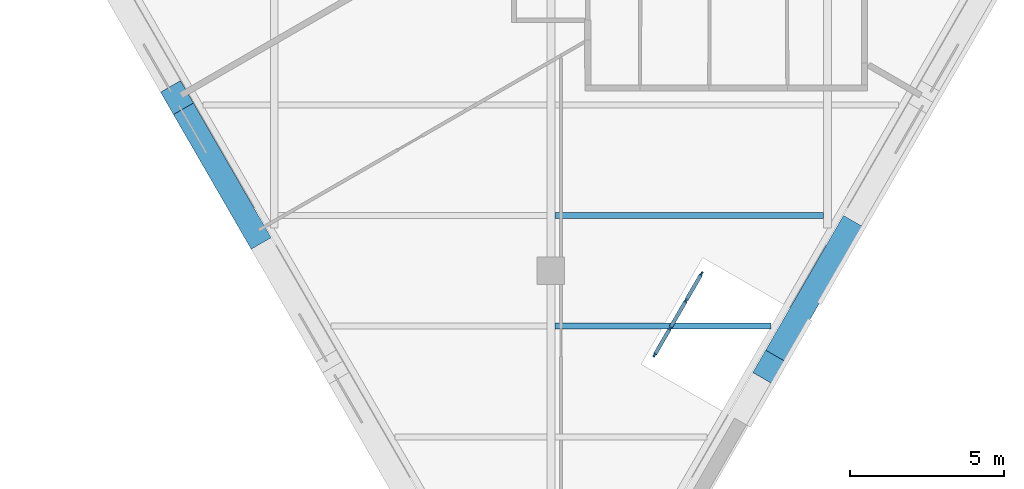
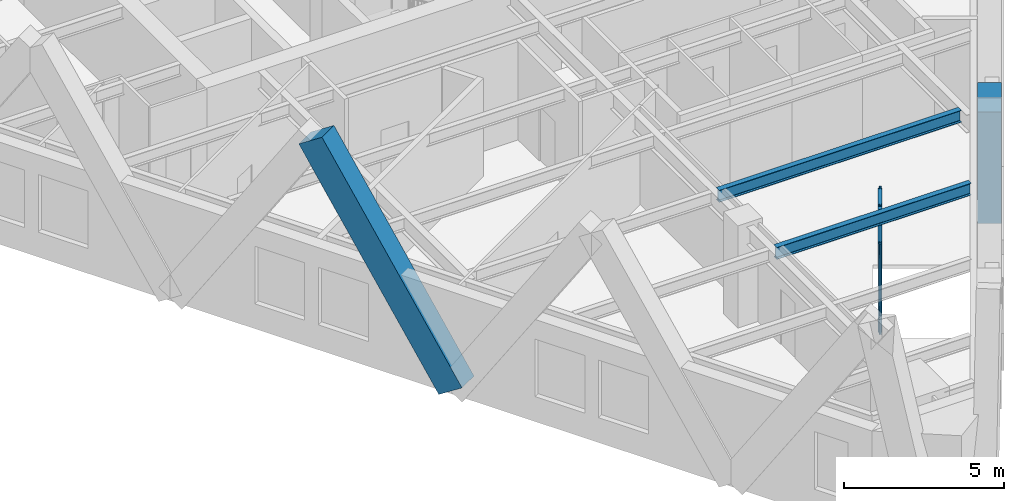
# One storey, part 2 of 11: 15 members, 2 beams, 1 element without a shape of its own.
"""IFC4 building model written with IfcOpenShell, lengths in metres."""

import ifcopenshell
import ifcopenshell.guid

model = None  # the IFC model being written
_history = None  # IfcOwnerHistory: only IFC2X3 demands one
_inside = {}  # id of a spatial element -> (the spatial element, [elements in it])
_under = {}  # id of a project, library or spatial element -> (it, [spatial elements below it])
_declared = {}  # id of a project -> (the project, [libraries it declares])
_typed = {}  # id of a type object -> (the type object, [elements of that type])
_made_of = {}  # id of a material, layer set ... -> (it, [elements and type objects made of it])


def new_model(schema):
    """Start an empty IFC model of exactly this schema.

    Asked for "IFC4X3", IfcOpenShell would pick the latest addendum, in which some entities
    have other attributes; the version numbers below select the first issue.
    IFC2X3 requires an IfcOwnerHistory on every rooted entity: one is made here for all.
    """
    global model, _history
    if schema == "IFC4X3":
        model = ifcopenshell.file(schema_version=(4, 3, 0, 0))
    else:
        model = ifcopenshell.file(schema=schema)
    _inside.clear()
    _under.clear()
    _declared.clear()
    _typed.clear()
    _made_of.clear()
    _history = None
    if model.schema == "IFC2X3":
        org = make("IfcOrganization", Name="unknown")
        user = make(
            "IfcPersonAndOrganization",
            ThePerson=make("IfcPerson", FamilyName="unknown"),
            TheOrganization=org,
        )
        app = make(
            "IfcApplication",
            ApplicationDeveloper=org,
            Version="unknown",
            ApplicationFullName="unknown",
            ApplicationIdentifier="unknown",
        )
        _history = make(
            "IfcOwnerHistory",
            OwningUser=user,
            OwningApplication=app,
            ChangeAction="ADDED",
            CreationDate=0,
        )
    return model


def make(cls, **values):
    """One entity of the class cls with the attributes given. An attribute that is None is left unset."""
    return model.create_entity(
        cls, **{name: value for name, value in values.items() if value is not None}
    )


def rooted(cls, **values):
    """An entity with a GlobalId (a new one), such as an element, a storey or a relation."""
    return make(cls, GlobalId=ifcopenshell.guid.new(), OwnerHistory=_history, **values)


def si_unit(unit_type, name, prefix=None):
    """IfcSIUnit, for example si_unit("LENGTHUNIT", "METRE", prefix="MILLI")."""
    return make("IfcSIUnit", UnitType=unit_type, Prefix=prefix, Name=name)


def assignment(units):
    """IfcUnitAssignment: the units of a project."""
    return None if units is None else make("IfcUnitAssignment", Units=units)


def point(xyz):
    """IfcCartesianPoint."""
    return None if xyz is None else make("IfcCartesianPoint", Coordinates=xyz)


def direction(xyz):
    """IfcDirection."""
    return None if xyz is None else make("IfcDirection", DirectionRatios=xyz)


def frame(location, z_axis=None, x_axis=None):
    """IfcAxis2Placement3D, a coordinate frame: its origin and axes. An axis left out is left unset."""
    return make(
        "IfcAxis2Placement3D",
        Location=point(location),
        Axis=direction(z_axis),
        RefDirection=direction(x_axis),
    )


def frame_2d(location, x_axis=None):
    """IfcAxis2Placement2D, a coordinate frame in the plane: its origin and x axis."""
    return make(
        "IfcAxis2Placement2D", Location=point(location), RefDirection=direction(x_axis)
    )


def origin():
    """The frame at (0, 0, 0) with its axes left unset."""
    return frame((0.0, 0.0, 0.0))


def origin_2d():
    """The frame at (0, 0) in the plane with its x axis left unset."""
    return frame_2d((0.0, 0.0))


def place(relative_to, where):
    """IfcLocalPlacement: puts the frame where relative to a parent placement (None: the world)."""
    return make(
        "IfcLocalPlacement", PlacementRelTo=relative_to, RelativePlacement=where
    )


def context(
    kind, dimensions, precision=None, world=None, true_north=None, identifier=None
):
    """IfcGeometricRepresentationContext, for example the 3D "Model" context."""
    return make(
        "IfcGeometricRepresentationContext",
        ContextIdentifier=identifier,
        ContextType=kind,
        CoordinateSpaceDimension=dimensions,
        Precision=precision,
        WorldCoordinateSystem=world,
        TrueNorth=true_north,
    )


def subcontext(parent, identifier, kind, view, scale=None):
    """IfcGeometricRepresentationSubContext, for example "Body" below "Model"."""
    return make(
        "IfcGeometricRepresentationSubContext",
        ContextIdentifier=identifier,
        ContextType=kind,
        ParentContext=parent,
        TargetScale=scale,
        TargetView=view,
    )


def project(units=None, contexts=None):
    """IfcProject with its units and contexts."""
    return rooted(
        "IfcProject",
        Name="project",
        RepresentationContexts=contexts,
        UnitsInContext=assignment(units),
    )


def spatial(cls, under=None, at=None, **own):
    """A site, building, storey or space (cls), placed at a placement, below another one or the project."""
    s = rooted(cls, ObjectPlacement=at, **own)
    if under is not None:
        _under.setdefault(under.id(), (under, []))[1].append(s)
    return s


def profile(cls, at=None, kind="AREA", **sizes):
    """A parametric profile (cls). Its sizes go by their IFC names, for example OverallWidth=200.0."""
    return make(cls, ProfileType=kind, Position=at, **sizes)


def rectangle(**sizes):
    """IfcRectangleProfileDef."""
    return profile("IfcRectangleProfileDef", **sizes)


def i_section(**sizes):
    """IfcIShapeProfileDef."""
    return profile("IfcIShapeProfileDef", **sizes)


def extrude(swept, where, along, depth):
    """IfcExtrudedAreaSolid: the profile swept, set in the frame where, extruded along a direction by depth."""
    return make(
        "IfcExtrudedAreaSolid",
        SweptArea=swept,
        Position=where,
        ExtrudedDirection=direction(along),
        Depth=depth,
    )


def shape(context_of_items, identifier, shape_type, items):
    """IfcShapeRepresentation: the items that make up one representation, for example the "Body"."""
    return make(
        "IfcShapeRepresentation",
        ContextOfItems=context_of_items,
        RepresentationIdentifier=identifier,
        RepresentationType=shape_type,
        Items=items,
    )


def material(Name=None, Category=None):
    """IfcMaterial."""
    return make("IfcMaterial", Name=Name, Category=Category)


def material_profile(
    of_material, cross_section, Name=None, Category=None, Priority=None
):
    """IfcMaterialProfile: a cross section and its material."""
    return make(
        "IfcMaterialProfile",
        Name=Name,
        Material=of_material,
        Profile=cross_section,
        Priority=Priority,
        Category=Category,
    )


def profile_set(profiles, Name=None, composite=None):
    """IfcMaterialProfileSet."""
    return make(
        "IfcMaterialProfileSet",
        Name=Name,
        MaterialProfiles=profiles,
        CompositeProfile=composite,
    )


def made_of(thing, what):
    """Note that an element or type object is made of a material, layer set ...; save() writes the relation."""
    if what is not None:
        _made_of.setdefault(what.id(), (what, []))[1].append(thing)
    return thing


def type_object(cls, material=None, **own):
    """A type object (cls), such as IfcWallType, which elements share."""
    return made_of(rooted(cls, **own), material)


def element(
    cls,
    number,
    at=None,
    inside=None,
    cuts=None,
    type_object=None,
    material=None,
    context=None,
    identifier="Body",
    shape_type=None,
    held_by="IfcProductDefinitionShape",
    body=None,
    shapes=None,
    **own,
):
    """One element of the class cls, such as IfcWall. Its Tag is "e" and its number.

    at: its placement. inside: the storey or other place that contains it. cuts: it is an
    opening in that element (IfcRelVoidsElement). A single representation is given by context,
    identifier, shape_type and body (its items); several are given by shapes. held_by: the class
    of the entity that holds the representations. save() writes the other relations.
    """
    e = rooted(cls, Tag="e%d" % number, ObjectPlacement=at, **own)
    if body is not None:
        shapes = [shape(context, identifier, shape_type, body)]
    if shapes is not None:
        e.Representation = make(held_by, Representations=shapes)
    if inside is not None:
        _inside.setdefault(inside.id(), (inside, []))[1].append(e)
    if cuts is not None:
        rooted(
            "IfcRelVoidsElement", RelatingBuildingElement=cuts, RelatedOpeningElement=e
        )
    if type_object is not None:
        _typed.setdefault(type_object.id(), (type_object, []))[1].append(e)
    return made_of(e, material)


def aggregate(whole, parts):
    """IfcRelAggregates: a whole, such as a stair, and the parts it consists of."""
    return rooted("IfcRelAggregates", RelatingObject=whole, RelatedObjects=parts)


def save(model, path):
    """Write the relations noted so far, then the file.

    IfcRelAggregates (storeys below a building ...), IfcRelContainedInSpatialStructure (elements
    in a storey), IfcRelDefinesByType, IfcRelAssociatesMaterial and IfcRelDeclares: one each for
    every whole, place, type object, material and project.
    """
    for whole, parts in _under.values():
        aggregate(whole, parts)
    for where, things in _inside.values():
        rooted(
            "IfcRelContainedInSpatialStructure",
            RelatedElements=things,
            RelatingStructure=where,
        )
    for kind, things in _typed.values():
        rooted("IfcRelDefinesByType", RelatedObjects=things, RelatingType=kind)
    for what, things in _made_of.values():
        rooted("IfcRelAssociatesMaterial", RelatedObjects=things, RelatingMaterial=what)
    for by, libraries in _declared.values():
        rooted("IfcRelDeclares", RelatingContext=by, RelatedDefinitions=libraries)
    model.write(path)


model = new_model("IFC4")

# Units and contexts
model_context = context("Model", 3, precision=1e-05, world=origin(), true_north=direction((0.0, 1.0)))
body_context = subcontext(model_context, "Body", "Model", "MODEL_VIEW")
ifc_project = project(units=[si_unit("LENGTHUNIT", "METRE"), si_unit("AREAUNIT", "SQUARE_METRE"), si_unit("VOLUMEUNIT", "CUBIC_METRE"), si_unit("PLANEANGLEUNIT", "RADIAN"), si_unit("MASSUNIT", "GRAM", prefix="KILO")], contexts=[model_context])

# Site, building, storey
site_placement = place(None, origin())
site = spatial("IfcSite", under=ifc_project, at=site_placement, CompositionType="ELEMENT")
building_placement = place(site_placement, origin())
building = spatial("IfcBuilding", under=site, at=building_placement, Name="Aloe Facet Convention Tower", CompositionType="ELEMENT")
storey_placement = place(building_placement, frame((0.0, 0.0, 167.60009765625)))
storey = spatial("IfcBuildingStorey", under=building, at=storey_placement, Name="L42", CompositionType="ELEMENT", Elevation=167.60009765625)

# Curtain wall, members
ifc_material_1 = material(Name="Aluminium, anodised", Category="aluminium")
curtain_wall_type = type_object("IfcCurtainWallType", Name="EV-CW-TERRACE", PredefinedType="USERDEFINED", material=ifc_material_1)
curtain_wall_placement = place(storey_placement, origin())
curtain_wall = element("IfcCurtainWall", 1, at=curtain_wall_placement, inside=storey, type_object=curtain_wall_type, Name="CW-T09", ObjectType="TERRACE BACK GLAZING", PredefinedType="USERDEFINED")
ifc_material_2 = material(Name="Aluminium, anodised", Category="aluminium")
ifc_material_profile_1 = material_profile(ifc_material_2, rectangle(XDim=0.06005859375, YDim=0.14990234375, at=origin_2d()), Name="AL 60x150")
ifc_profile_set_1 = profile_set([ifc_material_profile_1], Name="Aluminium, anodised")
member_type_1 = type_object("IfcMemberType", Name="EV-MULL-TERRACE", PredefinedType="MULLION", material=ifc_profile_set_1)
member_1_placement = place(storey_placement, frame((83.374755859375, 105.265869140625, -0.150146484375), z_axis=(0.0, 0.0, 1.0), x_axis=(-0.866025403802, 0.49999999997, 0.0)))
member_1 = element("IfcMember", 2, at=member_1_placement, type_object=member_type_1, Name="CW-T09 mullion 1", PredefinedType="MULLION", context=body_context, shape_type="SweptSolid", body=[
    extrude(rectangle(XDim=0.06005859375, YDim=0.14990234375, at=origin_2d()), origin(), (0.0, 0.0, 1.0), 3.43994140625),
])
member_2_placement = place(storey_placement, frame((83.87646484375, 106.134765625, -0.150146484375), z_axis=(0.0, 0.0, 1.0), x_axis=(-0.866025403802, 0.49999999997, 0.0)))
member_2 = element("IfcMember", 3, at=member_2_placement, type_object=member_type_1, Name="CW-T09 mullion 2", PredefinedType="MULLION", context=body_context, shape_type="SweptSolid", body=[
    extrude(rectangle(XDim=0.06005859375, YDim=0.14990234375, at=origin_2d()), origin(), (0.0, 0.0, 1.0), 3.43994140625),
])
member_3_placement = place(storey_placement, frame((84.39306640625, 107.02978515625, -0.150146484375), z_axis=(0.0, 0.0, 1.0), x_axis=(-0.866025403802, 0.49999999997, 0.0)))
member_3 = element("IfcMember", 4, at=member_3_placement, type_object=member_type_1, Name="CW-T09 mullion 3", PredefinedType="MULLION", context=body_context, shape_type="SweptSolid", body=[
    extrude(rectangle(XDim=0.06005859375, YDim=0.14990234375, at=origin_2d()), origin(), (0.0, 0.0, 1.0), 3.43994140625),
])
member_4_placement = place(storey_placement, frame((84.894775390625, 107.898681640625, -0.150146484375), z_axis=(0.0, 0.0, 1.0), x_axis=(-0.866025403802, 0.49999999997, 0.0)))
member_4 = element("IfcMember", 5, at=member_4_placement, type_object=member_type_1, Name="CW-T09 mullion 4", PredefinedType="MULLION", context=body_context, shape_type="SweptSolid", body=[
    extrude(rectangle(XDim=0.06005859375, YDim=0.14990234375, at=origin_2d()), origin(), (0.0, 0.0, 1.0), 3.43994140625),
])
ifc_material_3 = material(Name="Aluminium, anodised", Category="aluminium")
ifc_material_profile_2 = material_profile(ifc_material_3, rectangle(XDim=0.1201171875, YDim=0.06005859375, at=origin_2d()), Name="AL 120x60")
ifc_profile_set_2 = profile_set([ifc_material_profile_2], Name="Aluminium, anodised")
member_type_2 = type_object("IfcMemberType", Name="EV-TRAN-TERRACE", PredefinedType="USERDEFINED", material=ifc_profile_set_2)
member_5_placement = place(storey_placement, frame((83.389892578125, 105.2919921875, -0.1201171875), z_axis=(0.500036104519, 0.866004557827, 0.0), x_axis=(-0.866004557827, 0.500036104519, 0.0)))
member_5 = element("IfcMember", 6, at=member_5_placement, type_object=member_type_2, Name="CW-T09 transom 1.1", ObjectType="TRANSOM", PredefinedType="USERDEFINED", context=body_context, shape_type="SweptSolid", body=[
    extrude(rectangle(XDim=0.1201171875, YDim=0.06005859375, at=origin_2d()), origin(), (0.0, 0.0, 1.0), 0.943359375),
])
member_6_placement = place(storey_placement, frame((83.389892578125, 105.2919921875, 1.56982421875), z_axis=(0.500036104519, 0.866004557827, 0.0), x_axis=(-0.866004557827, 0.500036104519, 0.0)))
member_6 = element("IfcMember", 7, at=member_6_placement, type_object=member_type_2, Name="CW-T09 transom 1.2", ObjectType="TRANSOM", PredefinedType="USERDEFINED", context=body_context, shape_type="SweptSolid", body=[
    extrude(rectangle(XDim=0.1201171875, YDim=0.06005859375, at=origin_2d()), origin(), (0.0, 0.0, 1.0), 0.943359375),
])
member_7_placement = place(storey_placement, frame((83.389892578125, 105.2919921875, 3.260009765625), z_axis=(0.500036104519, 0.866004557827, 0.0), x_axis=(-0.866004557827, 0.500036104519, 0.0)))
member_7 = element("IfcMember", 8, at=member_7_placement, type_object=member_type_2, Name="CW-T09 transom 1.3", ObjectType="TRANSOM", PredefinedType="USERDEFINED", context=body_context, shape_type="SweptSolid", body=[
    extrude(rectangle(XDim=0.1201171875, YDim=0.06005859375, at=origin_2d()), origin(), (0.0, 0.0, 1.0), 0.943359375),
])
member_8_placement = place(storey_placement, frame((83.8916015625, 106.160888671875, -0.1201171875), z_axis=(0.499997529631, 0.866026830048, 0.0), x_axis=(-0.866026830048, 0.499997529631, 0.0)))
member_8 = element("IfcMember", 9, at=member_8_placement, type_object=member_type_2, Name="CW-T09 transom 2.1", ObjectType="TRANSOM", PredefinedType="USERDEFINED", context=body_context, shape_type="SweptSolid", body=[
    extrude(rectangle(XDim=0.1201171875, YDim=0.06005859375, at=origin_2d()), origin(), (0.0, 0.0, 1.0), 0.97314453125),
])
member_9_placement = place(storey_placement, frame((83.8916015625, 106.160888671875, 1.56982421875), z_axis=(0.499997529631, 0.866026830048, 0.0), x_axis=(-0.866026830048, 0.499997529631, 0.0)))
member_9 = element("IfcMember", 10, at=member_9_placement, type_object=member_type_2, Name="CW-T09 transom 2.2", ObjectType="TRANSOM", PredefinedType="USERDEFINED", context=body_context, shape_type="SweptSolid", body=[
    extrude(rectangle(XDim=0.1201171875, YDim=0.06005859375, at=origin_2d()), origin(), (0.0, 0.0, 1.0), 0.97314453125),
])
member_10_placement = place(storey_placement, frame((83.8916015625, 106.160888671875, 3.260009765625), z_axis=(0.499997529631, 0.866026830048, 0.0), x_axis=(-0.866026830048, 0.499997529631, 0.0)))
member_10 = element("IfcMember", 11, at=member_10_placement, type_object=member_type_2, Name="CW-T09 transom 2.3", ObjectType="TRANSOM", PredefinedType="USERDEFINED", context=body_context, shape_type="SweptSolid", body=[
    extrude(rectangle(XDim=0.1201171875, YDim=0.06005859375, at=origin_2d()), origin(), (0.0, 0.0, 1.0), 0.97314453125),
])
member_11_placement = place(storey_placement, frame((84.408203125, 107.0556640625, -0.1201171875), z_axis=(0.500036104519, 0.866004557827, 0.0), x_axis=(-0.866004557827, 0.500036104519, 0.0)))
member_11 = element("IfcMember", 12, at=member_11_placement, type_object=member_type_2, Name="CW-T09 transom 3.1", ObjectType="TRANSOM", PredefinedType="USERDEFINED", context=body_context, shape_type="SweptSolid", body=[
    extrude(rectangle(XDim=0.1201171875, YDim=0.06005859375, at=origin_2d()), origin(), (0.0, 0.0, 1.0), 0.943359375),
])
member_12_placement = place(storey_placement, frame((84.408203125, 107.0556640625, 1.56982421875), z_axis=(0.500036104519, 0.866004557827, 0.0), x_axis=(-0.866004557827, 0.500036104519, 0.0)))
member_12 = element("IfcMember", 13, at=member_12_placement, type_object=member_type_2, Name="CW-T09 transom 3.2", ObjectType="TRANSOM", PredefinedType="USERDEFINED", context=body_context, shape_type="SweptSolid", body=[
    extrude(rectangle(XDim=0.1201171875, YDim=0.06005859375, at=origin_2d()), origin(), (0.0, 0.0, 1.0), 0.943359375),
])
member_13_placement = place(storey_placement, frame((84.408203125, 107.0556640625, 3.260009765625), z_axis=(0.500036104519, 0.866004557827, 0.0), x_axis=(-0.866004557827, 0.500036104519, 0.0)))
member_13 = element("IfcMember", 14, at=member_13_placement, type_object=member_type_2, Name="CW-T09 transom 3.3", ObjectType="TRANSOM", PredefinedType="USERDEFINED", context=body_context, shape_type="SweptSolid", body=[
    extrude(rectangle(XDim=0.1201171875, YDim=0.06005859375, at=origin_2d()), origin(), (0.0, 0.0, 1.0), 0.943359375),
])
aggregate(curtain_wall, [member_1, member_2, member_3, member_4, member_5, member_6, member_7, member_8, member_9, member_10, member_11, member_12, member_13])

# Beams
ifc_material_4 = material(Name="Steel S355", Category="steel")
ifc_material_profile_3 = material_profile(ifc_material_4, i_section(OverallWidth=0.19140625, OverallDepth=0.4599609375, WebThickness=0.010009765625, FlangeThickness=0.01611328125, FilletRadius=0.01025390625, at=origin_2d()), Name="UB 457x191x82")
ifc_profile_set_3 = profile_set([ifc_material_profile_3], Name="Steel S355")
beam_type = type_object("IfcBeamType", Name="SF-B-UB457x191x82", PredefinedType="BEAM", material=ifc_profile_set_3)
beam_1_placement = place(storey_placement, frame((80.12646484375, 106.199951171875, 3.52001953125), z_axis=(1.0, 0.0, 0.0), x_axis=(0.0, 1.0, 0.0)))
element("IfcBeam", 15, at=beam_1_placement, inside=storey, type_object=beam_type, Name="Floor beam FB-Z3C-029", PredefinedType="BEAM", context=body_context, shape_type="SweptSolid", body=[
    extrude(i_section(OverallWidth=0.19140625, OverallDepth=0.4599609375, WebThickness=0.010009765625, FlangeThickness=0.01611328125, FilletRadius=0.01025390625, at=origin_2d()), origin(), (0.0, 0.0, 1.0), 7.029052734375),
])
beam_2_placement = place(storey_placement, frame((80.12646484375, 109.800048828125, 3.52001953125), z_axis=(1.0, 0.0, 0.0), x_axis=(0.0, 1.0, 0.0)))
element("IfcBeam", 16, at=beam_2_placement, inside=storey, type_object=beam_type, Name="Floor beam FB-Z3C-030", PredefinedType="BEAM", context=body_context, shape_type="SweptSolid", body=[
    extrude(i_section(OverallWidth=0.19140625, OverallDepth=0.4599609375, WebThickness=0.010009765625, FlangeThickness=0.01611328125, FilletRadius=0.01025390625, at=origin_2d()), origin(), (0.0, 0.0, 1.0), 8.7470703125),
])

# Members
ifc_material_5 = material(Name="Concrete C60/75, bronze oxide finish", Category="concrete")
ifc_material_profile_4 = material_profile(ifc_material_5, rectangle(XDim=0.75, YDim=1.0, at=origin_2d()), Name="STW-LM")
ifc_profile_set_4 = profile_set([ifc_material_profile_4], Name="Concrete C60/75, bronze oxide finish")
member_type_3 = type_object("IfcMemberType", Name="STW-LM", PredefinedType="BRACE", material=ifc_profile_set_4)
member_14_placement = place(storey_placement, frame((70.36865234375, 109.25244140625, 0.0), z_axis=(-0.272138052355, 0.471383859115, 0.838891016656), x_axis=(-0.866037770685, -0.499978579288, 0.0)))
element("IfcMember", 17, at=member_14_placement, inside=storey, type_object=member_type_3, Name="Lattice member LM-Z3-F2-R5-05", PredefinedType="BRACE", context=body_context, shape_type="SweptSolid", body=[
    extrude(rectangle(XDim=0.75, YDim=1.0, at=origin_2d()), origin(), (0.0, 0.0, 1.0), 9.2978515625),
])
member_15_placement = place(storey_placement, frame((89.63134765625, 109.25244140625, 0.0), z_axis=(-0.27214142074, -0.471363435325, 0.83890140002), x_axis=(0.866025710499, -0.499999468754, 0.0)))
element("IfcMember", 18, at=member_15_placement, inside=storey, type_object=member_type_3, Name="Lattice member LM-Z3-F3-R5-03", PredefinedType="BRACE", context=body_context, shape_type="SweptSolid", body=[
    extrude(rectangle(XDim=0.75, YDim=1.0, at=origin_2d()), origin(), (0.0, 0.0, 1.0), 9.297607421875),
])

save(model, "model.ifc")
